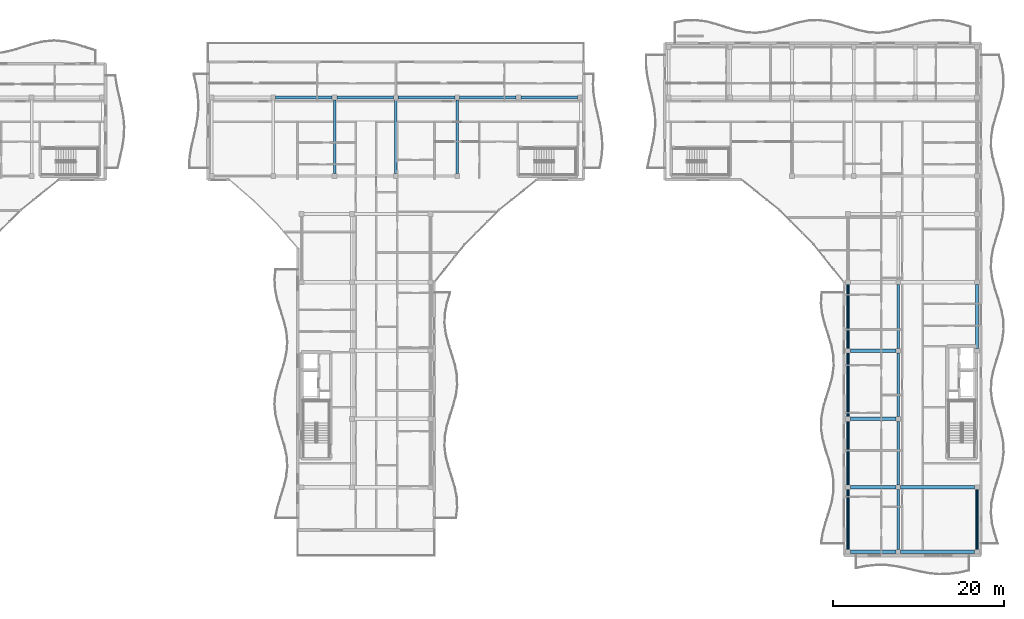
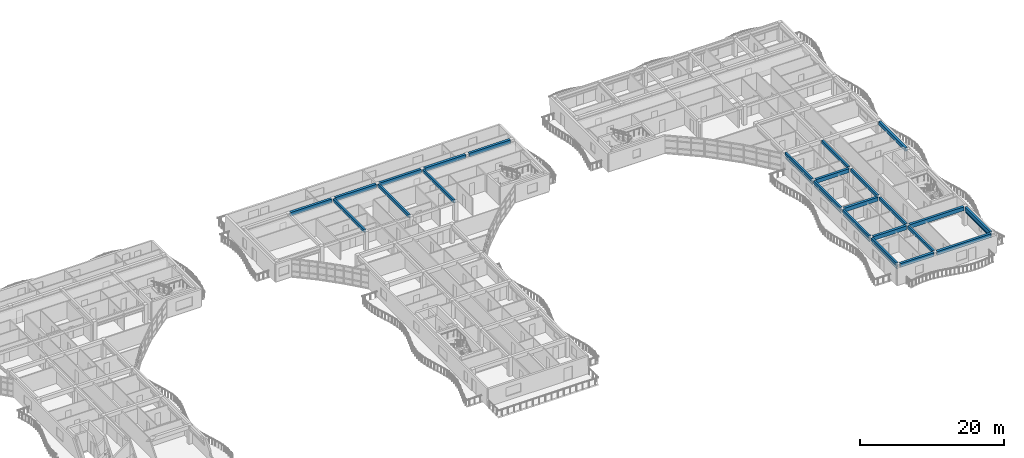
# One storey, part 15 of 54: 24 beams, 10 members.
"""IFC4 building model written with IfcOpenShell, lengths in metres."""

from ifc_helpers import new_model, si_unit, direction, frame, origin, origin_2d, place, context, subcontext, project, spatial, rectangle, hollow_rectangle, extrude, material, material_profile, profile_set, type_object, element, save


model = new_model("IFC4")

# Units and contexts
model_context = context("Model", 3, precision=1e-05, world=origin(), true_north=direction((0.0, 1.0)))
body_context = subcontext(model_context, "Body", "Model", "MODEL_VIEW")
ifc_project = project(units=[si_unit("LENGTHUNIT", "METRE"), si_unit("AREAUNIT", "SQUARE_METRE"), si_unit("VOLUMEUNIT", "CUBIC_METRE"), si_unit("PLANEANGLEUNIT", "RADIAN"), si_unit("MASSUNIT", "GRAM", prefix="KILO")], contexts=[model_context])

# Site, building, storey
site_placement = place(None, origin())
site = spatial("IfcSite", under=ifc_project, at=site_placement, CompositionType="ELEMENT")
building_placement = place(site_placement, origin())
building = spatial("IfcBuilding", under=site, at=building_placement, Name="Keldmere Railside Commons", CompositionType="ELEMENT")
storey_placement = place(building_placement, frame((0.0, 0.0, 26.56005859375)))
storey = spatial("IfcBuildingStorey", under=building, at=storey_placement, Name="L08", CompositionType="ELEMENT", Elevation=26.56005859375)

# Members
ifc_material_1 = material(Name="Steel F-36 (S355)", Category="steel")
ifc_material_profile_1 = material_profile(ifc_material_1, hollow_rectangle(XDim=0.14990234375, YDim=0.25, WallThickness=0.010009765625, at=origin_2d()), Name="RHS-250x150x10")
ifc_profile_set_1 = profile_set([ifc_material_profile_1], Name="Steel F-36 (S355)")
member_type_1 = type_object("IfcMemberType", Name="Balcony Continuous Planted Trough RHS250x150", PredefinedType="CHORD", material=ifc_profile_set_1)
member_1_placement = place(storey_placement, frame((168.449951171875, 56.72509765625, 2.4150390625), z_axis=(0.0, 1.0, 0.0), x_axis=(-1.0, 0.0, 0.0)))
element("IfcMember", 1, at=member_1_placement, inside=storey, type_object=member_type_1, Name="PLT-1 MEM-BPLT-0909", PredefinedType="CHORD", context=body_context, shape_type="SweptSolid", body=[
    extrude(hollow_rectangle(XDim=0.14990234375, YDim=0.25, WallThickness=0.010009765625, at=origin_2d()), origin(), (0.0, 0.0, 1.0), 7.0),
])
for number, where, z_axis, x_axis, name in (
    (2, (168.449951171875, 64.27490234375, 2.4150390625), (0.0, 1.0, 0.0), (-1.0, 0.0, 0.0), "PLT-1 MEM-BPLT-0911"),
    (3, (168.449951171875, 72.27490234375, 2.4150390625), (0.0, 1.0, 0.0), (-1.0, 0.0, 0.0), "PLT-1 MEM-BPLT-0913"),
    (4, (168.449951171875, 80.27490234375, 2.4150390625), (0.0, 1.0, 0.0), (-1.0, 0.0, 0.0), "PLT-1 MEM-BPLT-0915"),
):
    element("IfcMember", number, at=place(storey_placement, frame(where, z_axis=z_axis, x_axis=x_axis)), inside=storey, type_object=member_type_1, Name=name, PredefinedType="CHORD", context=body_context, shape_type="SweptSolid", body=[
        extrude(hollow_rectangle(XDim=0.14990234375, YDim=0.25, WallThickness=0.010009765625, at=origin_2d()), origin(), (0.0, 0.0, 1.0), 7.4501953125),
    ])
member_2_placement = place(storey_placement, frame((183.550048828125, 56.72509765625, 2.4150390625), z_axis=(0.0, 1.0, 0.0), x_axis=(-1.0, 0.0, 0.0)))
element("IfcMember", 5, at=member_2_placement, inside=storey, type_object=member_type_1, Name="PLT-1 MEM-BPLT-0919", PredefinedType="CHORD", context=body_context, shape_type="SweptSolid", body=[
    extrude(hollow_rectangle(XDim=0.14990234375, YDim=0.25, WallThickness=0.010009765625, at=origin_2d()), origin(), (0.0, 0.0, 1.0), 7.0),
])

# Beams
ifc_material_2 = material(Name="Concrete H-30 (C30/37)", Category="concrete")
ifc_material_profile_2 = material_profile(ifc_material_2, rectangle(XDim=0.35009765625, YDim=0.60009765625, at=origin_2d()), Name="RC-350x600")
ifc_profile_set_2 = profile_set([ifc_material_profile_2], Name="Concrete H-30 (C30/37)")
beam_type_1 = type_object("IfcBeamType", Name="Residential Chord RC Beam 350x600", PredefinedType="BEAM", material=ifc_profile_set_2)
beam_1_placement = place(storey_placement, frame((183.550048828125, 56.72509765625, 2.89990234375), z_axis=(0.0, 1.0, 0.0), x_axis=(-1.0, 0.0, 0.0)))
element("IfcBeam", 6, at=beam_1_placement, inside=storey, type_object=beam_type_1, Name="BG-4 BM-L08-2264", PredefinedType="BEAM", context=body_context, shape_type="SweptSolid", body=[
    extrude(rectangle(XDim=0.35009765625, YDim=0.60009765625, at=origin_2d()), origin(), (0.0, 0.0, 1.0), 7.0),
])
beam_2_placement = place(storey_placement, frame((183.550048828125, 80.27490234375, 2.89990234375), z_axis=(0.0, 1.0, 0.0), x_axis=(-1.0, 0.0, 0.0)))
element("IfcBeam", 7, at=beam_2_placement, inside=storey, type_object=beam_type_1, Name="BG-4 BM-L08-2265", PredefinedType="BEAM", context=body_context, shape_type="SweptSolid", body=[
    extrude(rectangle(XDim=0.35009765625, YDim=0.60009765625, at=origin_2d()), origin(), (0.0, 0.0, 1.0), 7.4501953125),
])
ifc_material_profile_3 = material_profile(ifc_material_2, rectangle(XDim=0.39990234375, YDim=0.64990234375, at=origin_2d()), Name="RC-400x650")
ifc_profile_set_3 = profile_set([ifc_material_profile_3], Name="Concrete H-30 (C30/37)")
beam_type_2 = type_object("IfcBeamType", Name="Residential Spine RC Girder 400x650", PredefinedType="BEAM", material=ifc_profile_set_3)
beam_3_placement = place(storey_placement, frame((168.72509765625, 56.449951171875, 2.875), z_axis=(1.0, 0.0, 0.0), x_axis=(0.0, 1.0, 0.0)))
element("IfcBeam", 8, at=beam_3_placement, inside=storey, type_object=beam_type_2, Name="BG-3 BM-L08-2164", PredefinedType="BEAM", context=body_context, shape_type="SweptSolid", body=[
    extrude(rectangle(XDim=0.39990234375, YDim=0.64990234375, at=origin_2d()), origin(), (0.0, 0.0, 1.0), 5.349853515625),
])
beam_4_placement = place(storey_placement, frame((174.625, 56.449951171875, 2.875), z_axis=(1.0, 0.0, 0.0), x_axis=(0.0, 1.0, 0.0)))
element("IfcBeam", 9, at=beam_4_placement, inside=storey, type_object=beam_type_2, Name="BG-3 BM-L08-2165", PredefinedType="BEAM", context=body_context, shape_type="SweptSolid", body=[
    extrude(rectangle(XDim=0.39990234375, YDim=0.64990234375, at=origin_2d()), origin(), (0.0, 0.0, 1.0), 8.64990234375),
])
beam_5_placement = place(storey_placement, frame((168.72509765625, 64.0, 2.875), z_axis=(1.0, 0.0, 0.0), x_axis=(0.0, 1.0, 0.0)))
element("IfcBeam", 10, at=beam_5_placement, inside=storey, type_object=beam_type_2, Name="BG-3 BM-L08-2170", PredefinedType="BEAM", context=body_context, shape_type="SweptSolid", body=[
    extrude(rectangle(XDim=0.39990234375, YDim=0.64990234375, at=origin_2d()), origin(), (0.0, 0.0, 1.0), 5.349853515625),
])
beam_6_placement = place(storey_placement, frame((174.625, 64.0, 2.875), z_axis=(1.0, 0.0, 0.0), x_axis=(0.0, 1.0, 0.0)))
element("IfcBeam", 11, at=beam_6_placement, inside=storey, type_object=beam_type_2, Name="BG-3 BM-L08-2171", PredefinedType="BEAM", context=body_context, shape_type="SweptSolid", body=[
    extrude(rectangle(XDim=0.39990234375, YDim=0.64990234375, at=origin_2d()), origin(), (0.0, 0.0, 1.0), 8.64990234375),
])
for number, where, z_axis, x_axis, name in (
    (12, (168.72509765625, 72.0, 2.875), (1.0, 0.0, 0.0), (0.0, 1.0, 0.0), "BG-3 BM-L08-2174"),
    (13, (168.72509765625, 80.0, 2.875), (1.0, 0.0, 0.0), (0.0, 1.0, 0.0), "BG-3 BM-L08-2177"),
):
    element("IfcBeam", number, at=place(storey_placement, frame(where, z_axis=z_axis, x_axis=x_axis)), inside=storey, type_object=beam_type_2, Name=name, PredefinedType="BEAM", context=body_context, shape_type="SweptSolid", body=[
        extrude(rectangle(XDim=0.39990234375, YDim=0.64990234375, at=origin_2d()), origin(), (0.0, 0.0, 1.0), 5.349853515625),
    ])
beam_7_placement = place(storey_placement, frame((101.407958984375, 109.64990234375, 2.875), z_axis=(1.0, 0.0, 0.0), x_axis=(0.0, 1.0, 0.0)))
element("IfcBeam", 14, at=beam_7_placement, inside=storey, type_object=beam_type_2, Name="BG-3 BM-L08-2205", PredefinedType="BEAM", context=body_context, shape_type="SweptSolid", body=[
    extrude(rectangle(XDim=0.39990234375, YDim=0.64990234375, at=origin_2d()), origin(), (0.0, 0.0, 1.0), 6.634033203125),
])
for number, where, z_axis, x_axis, name in (
    (15, (108.592041015625, 109.64990234375, 2.875), (1.0, 0.0, 0.0), (0.0, 1.0, 0.0), "BG-3 BM-L08-2206"),
    (16, (115.77490234375, 109.64990234375, 2.875), (1.0, 0.0, 0.0), (0.0, 1.0, 0.0), "BG-3 BM-L08-2207"),
):
    element("IfcBeam", number, at=place(storey_placement, frame(where, z_axis=z_axis, x_axis=x_axis)), inside=storey, type_object=beam_type_2, Name=name, PredefinedType="BEAM", context=body_context, shape_type="SweptSolid", body=[
        extrude(rectangle(XDim=0.39990234375, YDim=0.64990234375, at=origin_2d()), origin(), (0.0, 0.0, 1.0), 6.633056640625),
    ])
beam_8_placement = place(storey_placement, frame((122.9580078125, 109.64990234375, 2.875), z_axis=(1.0, 0.0, 0.0), x_axis=(0.0, 1.0, 0.0)))
element("IfcBeam", 17, at=beam_8_placement, inside=storey, type_object=beam_type_2, Name="BG-3 BM-L08-2208", PredefinedType="BEAM", context=body_context, shape_type="SweptSolid", body=[
    extrude(rectangle(XDim=0.39990234375, YDim=0.64990234375, at=origin_2d()), origin(), (0.0, 0.0, 1.0), 6.634033203125),
])
beam_9_placement = place(storey_placement, frame((130.14208984375, 109.64990234375, 2.875), z_axis=(1.0, 0.0, 0.0), x_axis=(0.0, 1.0, 0.0)))
element("IfcBeam", 18, at=beam_9_placement, inside=storey, type_object=beam_type_2, Name="BG-3 BM-L08-2209", PredefinedType="BEAM", context=body_context, shape_type="SweptSolid", body=[
    extrude(rectangle(XDim=0.39990234375, YDim=0.64990234375, at=origin_2d()), origin(), (0.0, 0.0, 1.0), 6.6328125),
])
ifc_material_profile_4 = material_profile(ifc_material_2, rectangle(XDim=0.300048828125, YDim=0.5, at=origin_2d()), Name="RC-300x500")
ifc_profile_set_4 = profile_set([ifc_material_profile_4], Name="Concrete H-30 (C30/37)")
beam_type_3 = type_object("IfcBeamType", Name="Secondary Frame RC Beam 300x500", PredefinedType="BEAM", material=ifc_profile_set_4)
for number, where, z_axis, x_axis, name in (
    (19, (108.31689453125, 100.72509765625, 2.949951171875), (0.0, 1.0, 0.0), (-1.0, 0.0, 0.0), "BG-5 BM-L08-2236"),
    (20, (115.5, 100.72509765625, 2.949951171875), (0.0, 1.0, 0.0), (-1.0, 0.0, 0.0), "BG-5 BM-L08-2241"),
    (21, (122.68310546875, 100.72509765625, 2.949951171875), (0.0, 1.0, 0.0), (-1.0, 0.0, 0.0), "BG-5 BM-L08-2246"),
):
    element("IfcBeam", number, at=place(storey_placement, frame(where, z_axis=z_axis, x_axis=x_axis)), inside=storey, type_object=beam_type_3, Name=name, PredefinedType="BEAM", context=body_context, shape_type="SweptSolid", body=[
        extrude(rectangle(XDim=0.300048828125, YDim=0.5, at=origin_2d()), origin(), (0.0, 0.0, 1.0), 8.64990234375),
    ])
beam_10_placement = place(storey_placement, frame((168.449951171875, 56.72509765625, 2.949951171875), z_axis=(0.0, 1.0, 0.0), x_axis=(-1.0, 0.0, 0.0)))
element("IfcBeam", 22, at=beam_10_placement, inside=storey, type_object=beam_type_3, Name="BG-5 BM-L08-2251", PredefinedType="BEAM", context=body_context, shape_type="SweptSolid", body=[
    extrude(rectangle(XDim=0.300048828125, YDim=0.5, at=origin_2d()), origin(), (0.0, 0.0, 1.0), 7.0),
])
for number, where, z_axis, x_axis, name in (
    (23, (168.449951171875, 64.27490234375, 2.949951171875), (0.0, 1.0, 0.0), (-1.0, 0.0, 0.0), "BG-5 BM-L08-2252"),
    (24, (168.449951171875, 72.27490234375, 2.949951171875), (0.0, 1.0, 0.0), (-1.0, 0.0, 0.0), "BG-5 BM-L08-2253"),
    (25, (168.449951171875, 80.27490234375, 2.949951171875), (0.0, 1.0, 0.0), (-1.0, 0.0, 0.0), "BG-5 BM-L08-2254"),
):
    element("IfcBeam", number, at=place(storey_placement, frame(where, z_axis=z_axis, x_axis=x_axis)), inside=storey, type_object=beam_type_3, Name=name, PredefinedType="BEAM", context=body_context, shape_type="SweptSolid", body=[
        extrude(rectangle(XDim=0.300048828125, YDim=0.5, at=origin_2d()), origin(), (0.0, 0.0, 1.0), 7.4501953125),
    ])
beam_11_placement = place(storey_placement, frame((174.35009765625, 56.72509765625, 2.949951171875), z_axis=(0.0, 1.0, 0.0), x_axis=(-1.0, 0.0, 0.0)))
element("IfcBeam", 26, at=beam_11_placement, inside=storey, type_object=beam_type_3, Name="BG-5 BM-L08-2258", PredefinedType="BEAM", context=body_context, shape_type="SweptSolid", body=[
    extrude(rectangle(XDim=0.300048828125, YDim=0.5, at=origin_2d()), origin(), (0.0, 0.0, 1.0), 7.0),
])
for number, where, z_axis, x_axis, name in (
    (27, (174.35009765625, 64.27490234375, 2.949951171875), (0.0, 1.0, 0.0), (-1.0, 0.0, 0.0), "BG-5 BM-L08-2259"),
    (28, (174.35009765625, 72.27490234375, 2.949951171875), (0.0, 1.0, 0.0), (-1.0, 0.0, 0.0), "BG-5 BM-L08-2260"),
    (29, (174.35009765625, 80.27490234375, 2.949951171875), (0.0, 1.0, 0.0), (-1.0, 0.0, 0.0), "BG-5 BM-L08-2261"),
):
    element("IfcBeam", number, at=place(storey_placement, frame(where, z_axis=z_axis, x_axis=x_axis)), inside=storey, type_object=beam_type_3, Name=name, PredefinedType="BEAM", context=body_context, shape_type="SweptSolid", body=[
        extrude(rectangle(XDim=0.300048828125, YDim=0.5, at=origin_2d()), origin(), (0.0, 0.0, 1.0), 7.4501953125),
    ])

# Members
ifc_material_profile_5 = material_profile(ifc_material_1, hollow_rectangle(XDim=0.10009765625, YDim=0.159912109375, WallThickness=0.008056640625, at=origin_2d()), Name="RHS-160x100x8")
ifc_profile_set_5 = profile_set([ifc_material_profile_5], Name="Steel F-36 (S355)")
member_type_2 = type_object("IfcMemberType", Name="Solar Brise-Soleil Louvre Fin RHS160x100", PredefinedType="STRUT", material=ifc_profile_set_5)
member_3_placement = place(storey_placement, frame((168.449951171875, 56.72509765625, 2.199951171875), z_axis=(0.0, 1.0, 0.0), x_axis=(-1.0, 0.0, 0.0)))
element("IfcMember", 30, at=member_3_placement, inside=storey, type_object=member_type_2, Name="BSF-1 MEM-BSF-0910", PredefinedType="STRUT", context=body_context, shape_type="SweptSolid", body=[
    extrude(hollow_rectangle(XDim=0.10009765625, YDim=0.159912109375, WallThickness=0.008056640625, at=origin_2d()), origin(), (0.0, 0.0, 1.0), 7.0),
])
for number, where, z_axis, x_axis, name in (
    (31, (168.449951171875, 64.27490234375, 2.199951171875), (0.0, 1.0, 0.0), (-1.0, 0.0, 0.0), "BSF-1 MEM-BSF-0912"),
    (32, (168.449951171875, 72.27490234375, 2.199951171875), (0.0, 1.0, 0.0), (-1.0, 0.0, 0.0), "BSF-1 MEM-BSF-0914"),
    (33, (168.449951171875, 80.27490234375, 2.199951171875), (0.0, 1.0, 0.0), (-1.0, 0.0, 0.0), "BSF-1 MEM-BSF-0916"),
):
    element("IfcMember", number, at=place(storey_placement, frame(where, z_axis=z_axis, x_axis=x_axis)), inside=storey, type_object=member_type_2, Name=name, PredefinedType="STRUT", context=body_context, shape_type="SweptSolid", body=[
        extrude(hollow_rectangle(XDim=0.10009765625, YDim=0.159912109375, WallThickness=0.008056640625, at=origin_2d()), origin(), (0.0, 0.0, 1.0), 7.4501953125),
    ])
member_4_placement = place(storey_placement, frame((183.550048828125, 56.72509765625, 2.199951171875), z_axis=(0.0, 1.0, 0.0), x_axis=(-1.0, 0.0, 0.0)))
element("IfcMember", 34, at=member_4_placement, inside=storey, type_object=member_type_2, Name="BSF-1 MEM-BSF-0920", PredefinedType="STRUT", context=body_context, shape_type="SweptSolid", body=[
    extrude(hollow_rectangle(XDim=0.10009765625, YDim=0.159912109375, WallThickness=0.008056640625, at=origin_2d()), origin(), (0.0, 0.0, 1.0), 7.0),
])

save(model, "model.ifc")
